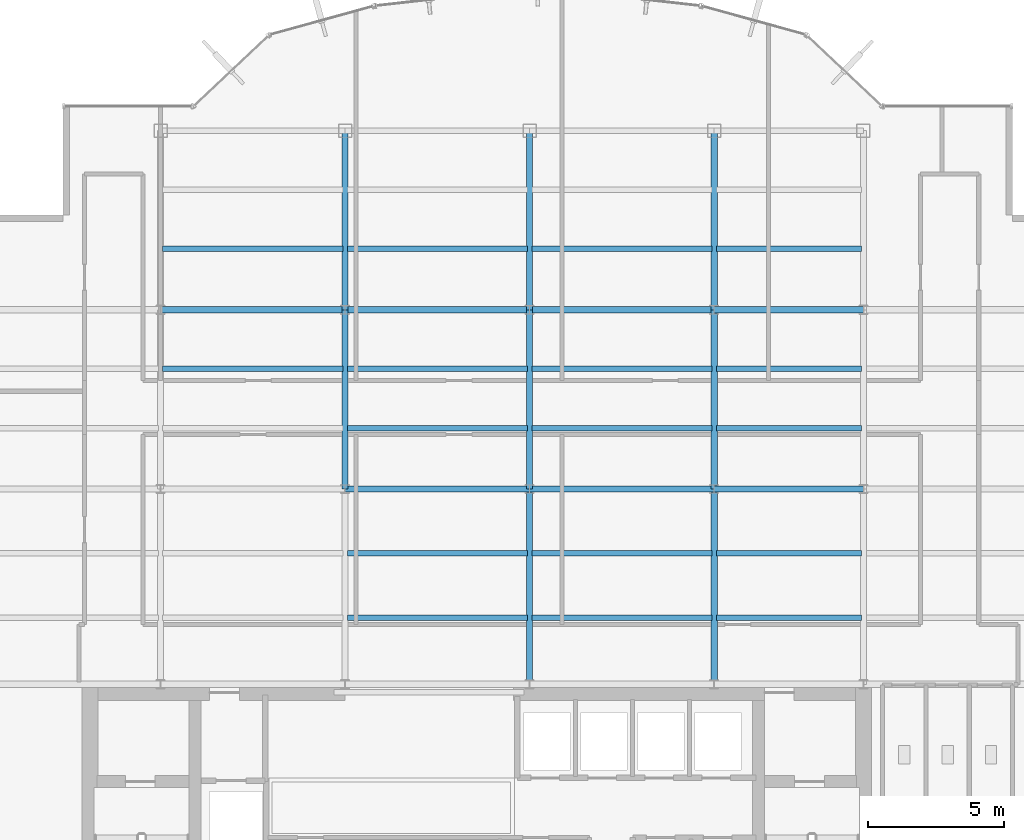
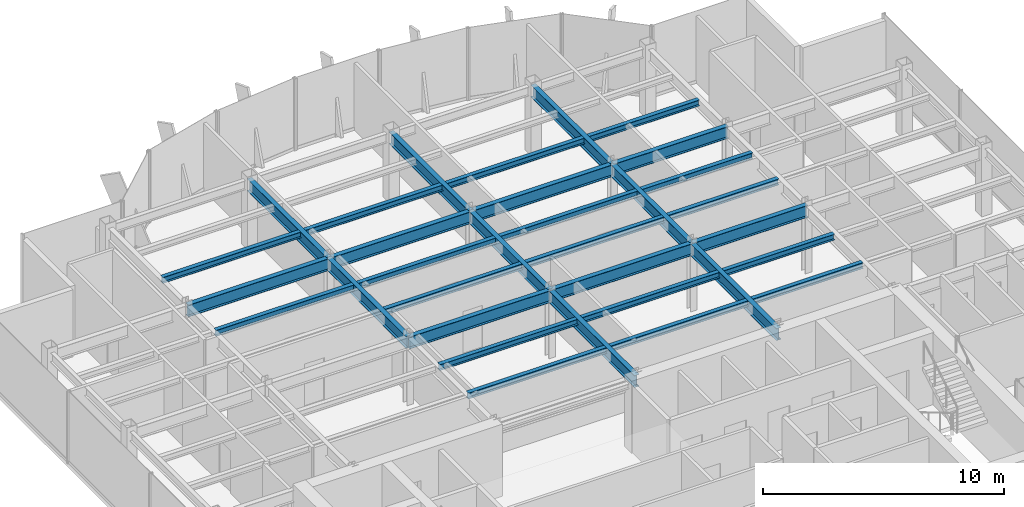
# One storey, part 8 of 22: 32 beams.
"""IFC4 building model written with IfcOpenShell, lengths in metres."""

import ifcopenshell
import ifcopenshell.guid

model = None  # the IFC model being written
_history = None  # IfcOwnerHistory: only IFC2X3 demands one
_inside = {}  # id of a spatial element -> (the spatial element, [elements in it])
_under = {}  # id of a project, library or spatial element -> (it, [spatial elements below it])
_declared = {}  # id of a project -> (the project, [libraries it declares])
_typed = {}  # id of a type object -> (the type object, [elements of that type])
_made_of = {}  # id of a material, layer set ... -> (it, [elements and type objects made of it])


def new_model(schema):
    """Start an empty IFC model of exactly this schema.

    Asked for "IFC4X3", IfcOpenShell would pick the latest addendum, in which some entities
    have other attributes; the version numbers below select the first issue.
    IFC2X3 requires an IfcOwnerHistory on every rooted entity: one is made here for all.
    """
    global model, _history
    if schema == "IFC4X3":
        model = ifcopenshell.file(schema_version=(4, 3, 0, 0))
    else:
        model = ifcopenshell.file(schema=schema)
    _inside.clear()
    _under.clear()
    _declared.clear()
    _typed.clear()
    _made_of.clear()
    _history = None
    if model.schema == "IFC2X3":
        org = make("IfcOrganization", Name="unknown")
        user = make(
            "IfcPersonAndOrganization",
            ThePerson=make("IfcPerson", FamilyName="unknown"),
            TheOrganization=org,
        )
        app = make(
            "IfcApplication",
            ApplicationDeveloper=org,
            Version="unknown",
            ApplicationFullName="unknown",
            ApplicationIdentifier="unknown",
        )
        _history = make(
            "IfcOwnerHistory",
            OwningUser=user,
            OwningApplication=app,
            ChangeAction="ADDED",
            CreationDate=0,
        )
    return model


def make(cls, **values):
    """One entity of the class cls with the attributes given. An attribute that is None is left unset."""
    return model.create_entity(
        cls, **{name: value for name, value in values.items() if value is not None}
    )


def rooted(cls, **values):
    """An entity with a GlobalId (a new one), such as an element, a storey or a relation."""
    return make(cls, GlobalId=ifcopenshell.guid.new(), OwnerHistory=_history, **values)


def si_unit(unit_type, name, prefix=None):
    """IfcSIUnit, for example si_unit("LENGTHUNIT", "METRE", prefix="MILLI")."""
    return make("IfcSIUnit", UnitType=unit_type, Prefix=prefix, Name=name)


def derived_unit(unit_type, elements):
    """IfcDerivedUnit: a product of units, each with its exponent."""
    return make(
        "IfcDerivedUnit",
        Elements=[
            make("IfcDerivedUnitElement", Unit=unit, Exponent=power)
            for unit, power in elements
        ],
        UnitType=unit_type,
    )


def assignment(units):
    """IfcUnitAssignment: the units of a project."""
    return None if units is None else make("IfcUnitAssignment", Units=units)


def point(xyz):
    """IfcCartesianPoint."""
    return None if xyz is None else make("IfcCartesianPoint", Coordinates=xyz)


def direction(xyz):
    """IfcDirection."""
    return None if xyz is None else make("IfcDirection", DirectionRatios=xyz)


def frame(location, z_axis=None, x_axis=None):
    """IfcAxis2Placement3D, a coordinate frame: its origin and axes. An axis left out is left unset."""
    return make(
        "IfcAxis2Placement3D",
        Location=point(location),
        Axis=direction(z_axis),
        RefDirection=direction(x_axis),
    )


def frame_2d(location, x_axis=None):
    """IfcAxis2Placement2D, a coordinate frame in the plane: its origin and x axis."""
    return make(
        "IfcAxis2Placement2D", Location=point(location), RefDirection=direction(x_axis)
    )


def origin():
    """The frame at (0, 0, 0) with its axes left unset."""
    return frame((0.0, 0.0, 0.0))


def origin_2d():
    """The frame at (0, 0) in the plane with its x axis left unset."""
    return frame_2d((0.0, 0.0))


def place(relative_to, where):
    """IfcLocalPlacement: puts the frame where relative to a parent placement (None: the world)."""
    return make(
        "IfcLocalPlacement", PlacementRelTo=relative_to, RelativePlacement=where
    )


def context(
    kind, dimensions, precision=None, world=None, true_north=None, identifier=None
):
    """IfcGeometricRepresentationContext, for example the 3D "Model" context."""
    return make(
        "IfcGeometricRepresentationContext",
        ContextIdentifier=identifier,
        ContextType=kind,
        CoordinateSpaceDimension=dimensions,
        Precision=precision,
        WorldCoordinateSystem=world,
        TrueNorth=true_north,
    )


def subcontext(parent, identifier, kind, view, scale=None):
    """IfcGeometricRepresentationSubContext, for example "Body" below "Model"."""
    return make(
        "IfcGeometricRepresentationSubContext",
        ContextIdentifier=identifier,
        ContextType=kind,
        ParentContext=parent,
        TargetScale=scale,
        TargetView=view,
    )


def project(units=None, contexts=None):
    """IfcProject with its units and contexts."""
    return rooted(
        "IfcProject",
        Name="project",
        RepresentationContexts=contexts,
        UnitsInContext=assignment(units),
    )


def spatial(cls, under=None, at=None, **own):
    """A site, building, storey or space (cls), placed at a placement, below another one or the project."""
    s = rooted(cls, ObjectPlacement=at, **own)
    if under is not None:
        _under.setdefault(under.id(), (under, []))[1].append(s)
    return s


def profile(cls, at=None, kind="AREA", **sizes):
    """A parametric profile (cls). Its sizes go by their IFC names, for example OverallWidth=200.0."""
    return make(cls, ProfileType=kind, Position=at, **sizes)


def i_section(**sizes):
    """IfcIShapeProfileDef."""
    return profile("IfcIShapeProfileDef", **sizes)


def extrude(swept, where, along, depth):
    """IfcExtrudedAreaSolid: the profile swept, set in the frame where, extruded along a direction by depth."""
    return make(
        "IfcExtrudedAreaSolid",
        SweptArea=swept,
        Position=where,
        ExtrudedDirection=direction(along),
        Depth=depth,
    )


def shape(context_of_items, identifier, shape_type, items):
    """IfcShapeRepresentation: the items that make up one representation, for example the "Body"."""
    return make(
        "IfcShapeRepresentation",
        ContextOfItems=context_of_items,
        RepresentationIdentifier=identifier,
        RepresentationType=shape_type,
        Items=items,
    )


def source(mapping_origin, context_of_items, identifier, shape_type, items):
    """IfcRepresentationMap: a shape defined once, which mapped items show again and again."""
    return make(
        "IfcRepresentationMap",
        MappingOrigin=mapping_origin,
        MappedRepresentation=shape(context_of_items, identifier, shape_type, items),
    )


def transform(
    local_origin,
    x_axis=None,
    y_axis=None,
    z_axis=None,
    scale=None,
    scale2=None,
    scale3=None,
    uniform=True,
):
    """IfcCartesianTransformationOperator3D, or its non-uniform kind. x_axis, y_axis, z_axis: its Axis1, 2, 3."""
    if uniform:
        return make(
            "IfcCartesianTransformationOperator3D",
            Axis1=direction(x_axis),
            Axis2=direction(y_axis),
            LocalOrigin=point(local_origin),
            Scale=scale,
            Axis3=direction(z_axis),
        )
    return make(
        "IfcCartesianTransformationOperator3DnonUniform",
        Axis1=direction(x_axis),
        Axis2=direction(y_axis),
        LocalOrigin=point(local_origin),
        Scale=scale,
        Axis3=direction(z_axis),
        Scale2=scale2,
        Scale3=scale3,
    )


def mapped(mapping_source, mapping_target):
    """IfcMappedItem: shows the shape of a source again, moved by a transform."""
    return make(
        "IfcMappedItem", MappingSource=mapping_source, MappingTarget=mapping_target
    )


def material(Name=None, Category=None):
    """IfcMaterial."""
    return make("IfcMaterial", Name=Name, Category=Category)


def material_profile(
    of_material, cross_section, Name=None, Category=None, Priority=None
):
    """IfcMaterialProfile: a cross section and its material."""
    return make(
        "IfcMaterialProfile",
        Name=Name,
        Material=of_material,
        Profile=cross_section,
        Priority=Priority,
        Category=Category,
    )


def profile_set(profiles, Name=None, composite=None):
    """IfcMaterialProfileSet."""
    return make(
        "IfcMaterialProfileSet",
        Name=Name,
        MaterialProfiles=profiles,
        CompositeProfile=composite,
    )


def made_of(thing, what):
    """Note that an element or type object is made of a material, layer set ...; save() writes the relation."""
    if what is not None:
        _made_of.setdefault(what.id(), (what, []))[1].append(thing)
    return thing


def type_object(cls, material=None, **own):
    """A type object (cls), such as IfcWallType, which elements share."""
    return made_of(rooted(cls, **own), material)


def element(
    cls,
    number,
    at=None,
    inside=None,
    cuts=None,
    type_object=None,
    material=None,
    context=None,
    identifier="Body",
    shape_type=None,
    held_by="IfcProductDefinitionShape",
    body=None,
    shapes=None,
    **own,
):
    """One element of the class cls, such as IfcWall. Its Tag is "e" and its number.

    at: its placement. inside: the storey or other place that contains it. cuts: it is an
    opening in that element (IfcRelVoidsElement). A single representation is given by context,
    identifier, shape_type and body (its items); several are given by shapes. held_by: the class
    of the entity that holds the representations. save() writes the other relations.
    """
    e = rooted(cls, Tag="e%d" % number, ObjectPlacement=at, **own)
    if body is not None:
        shapes = [shape(context, identifier, shape_type, body)]
    if shapes is not None:
        e.Representation = make(held_by, Representations=shapes)
    if inside is not None:
        _inside.setdefault(inside.id(), (inside, []))[1].append(e)
    if cuts is not None:
        rooted(
            "IfcRelVoidsElement", RelatingBuildingElement=cuts, RelatedOpeningElement=e
        )
    if type_object is not None:
        _typed.setdefault(type_object.id(), (type_object, []))[1].append(e)
    return made_of(e, material)


def aggregate(whole, parts):
    """IfcRelAggregates: a whole, such as a stair, and the parts it consists of."""
    return rooted("IfcRelAggregates", RelatingObject=whole, RelatedObjects=parts)


def save(model, path):
    """Write the relations noted so far, then the file.

    IfcRelAggregates (storeys below a building ...), IfcRelContainedInSpatialStructure (elements
    in a storey), IfcRelDefinesByType, IfcRelAssociatesMaterial and IfcRelDeclares: one each for
    every whole, place, type object, material and project.
    """
    for whole, parts in _under.values():
        aggregate(whole, parts)
    for where, things in _inside.values():
        rooted(
            "IfcRelContainedInSpatialStructure",
            RelatedElements=things,
            RelatingStructure=where,
        )
    for kind, things in _typed.values():
        rooted("IfcRelDefinesByType", RelatedObjects=things, RelatingType=kind)
    for what, things in _made_of.values():
        rooted("IfcRelAssociatesMaterial", RelatedObjects=things, RelatingMaterial=what)
    for by, libraries in _declared.values():
        rooted("IfcRelDeclares", RelatingContext=by, RelatedDefinitions=libraries)
    model.write(path)


model = new_model("IFC4")

# Units and contexts
model_context = context("Model", 3, precision=1e-05, world=origin(), true_north=direction((0.0, 1.0)))
body_context = subcontext(model_context, "Body", "Model", "MODEL_VIEW")
ifc_project = project(units=[si_unit("LENGTHUNIT", "METRE"), si_unit("AREAUNIT", "SQUARE_METRE"), si_unit("VOLUMEUNIT", "CUBIC_METRE"), si_unit("PLANEANGLEUNIT", "RADIAN"), si_unit("MASSUNIT", "GRAM", prefix="KILO"), derived_unit("THERMALTRANSMITTANCEUNIT", [(si_unit("POWERUNIT", "WATT"), 1), (si_unit("LENGTHUNIT", "METRE"), -2), (si_unit("THERMODYNAMICTEMPERATUREUNIT", "KELVIN"), -1)])], contexts=[model_context])

# Site, building, storey
site_placement = place(None, origin())
site = spatial("IfcSite", under=ifc_project, at=site_placement, CompositionType="ELEMENT")
building_placement = place(site_placement, origin())
building = spatial("IfcBuilding", under=site, at=building_placement, Name="Skarnbrae Concourse Arena and Tower", CompositionType="ELEMENT")
storey_placement = place(building_placement, frame((0.0, 0.0, 273.39990234375)))
storey = spatial("IfcBuildingStorey", under=building, at=storey_placement, Name="L71", CompositionType="ELEMENT", Elevation=273.39990234375)

# Beams
ifc_material = material(Name="Steel CSA G40.21 350W", Category="steel")
ifc_material_profile_1 = material_profile(ifc_material, i_section(OverallWidth=0.22802734375, OverallDepth=0.60791015625, WebThickness=0.01123046875, FlangeThickness=0.017333984375, at=origin_2d()), Name="W610X113")
ifc_profile_set_1 = profile_set([ifc_material_profile_1], Name="Steel CSA G40.21 350W")
beam_type_1 = type_object("IfcBeamType", Name="BM-GIRD-W610X113", PredefinedType="BEAM", material=ifc_profile_set_1)
shared_shape_1 = source(origin(), body_context, "Body", "SweptSolid", [
    extrude(i_section(OverallWidth=0.22802734375, OverallDepth=0.60791015625, WebThickness=0.01123046875, FlangeThickness=0.017333984375, at=origin_2d()), origin(), (0.0, 0.0, 1.0), 6.60009765625),
])
for number, where, z_axis, x_axis, name in (
    (1, (14.39990234375, 21.199951171875, 3.09619140625), (0.0, 1.0, 0.0), (-1.0, 0.0, 0.0), "L71 Primary N-S girder X14.4-2"),
    (2, (21.199951171875, 21.199951171875, 3.09619140625), (0.0, 1.0, 0.0), (-1.0, 0.0, 0.0), "L71 Primary N-S girder X21.2-2"),
    (3, (28.0, 21.199951171875, 3.09619140625), (0.0, 1.0, 0.0), (-1.0, 0.0, 0.0), "L71 Primary N-S girder X28.0-2"),
):
    element("IfcBeam", number, at=place(storey_placement, frame(where, z_axis=z_axis, x_axis=x_axis)), inside=storey, type_object=beam_type_1, Name=name, PredefinedType="BEAM", context=body_context, shape_type="MappedRepresentation", body=[
        mapped(shared_shape_1, transform((0.0, 0.0, 0.0))),
    ])
shared_shape_2 = source(origin(), body_context, "Body", "SweptSolid", [
    extrude(i_section(OverallWidth=0.22802734375, OverallDepth=0.60791015625, WebThickness=0.01123046875, FlangeThickness=0.017333984375, at=origin_2d()), origin(), (0.0, 0.0, 1.0), 6.7998046875),
])
beam_placement = place(storey_placement, frame((7.60009765625, 27.800048828125, 3.09619140625), z_axis=(1.0, 0.0, 0.0), x_axis=(0.0, 1.0, 0.0)))
element("IfcBeam", 4, at=beam_placement, inside=storey, type_object=beam_type_1, Name="L71 Primary E-W girder Y27.8-2", PredefinedType="BEAM", context=body_context, shape_type="MappedRepresentation", body=[
    mapped(shared_shape_2, transform((0.0, 0.0, 0.0))),
])
shared_shape_3 = source(origin(), body_context, "Body", "SweptSolid", [
    extrude(i_section(OverallWidth=0.22802734375, OverallDepth=0.60791015625, WebThickness=0.01123046875, FlangeThickness=0.017333984375, at=origin_2d()), origin(), (0.0, 0.0, 1.0), 6.800048828125),
])
for number, where, z_axis, x_axis, name in (
    (5, (14.39990234375, 21.199951171875, 3.09619140625), (1.0, 0.0, 0.0), (0.0, 1.0, 0.0), "L71 Primary E-W girder Y21.2-3"),
    (6, (21.199951171875, 21.199951171875, 3.09619140625), (1.0, 0.0, 0.0), (0.0, 1.0, 0.0), "L71 Primary E-W girder Y21.2-4"),
    (7, (14.39990234375, 27.800048828125, 3.09619140625), (1.0, 0.0, 0.0), (0.0, 1.0, 0.0), "L71 Primary E-W girder Y27.8-3"),
    (8, (21.199951171875, 27.800048828125, 3.09619140625), (1.0, 0.0, 0.0), (0.0, 1.0, 0.0), "L71 Primary E-W girder Y27.8-4"),
):
    element("IfcBeam", number, at=place(storey_placement, frame(where, z_axis=z_axis, x_axis=x_axis)), inside=storey, type_object=beam_type_1, Name=name, PredefinedType="BEAM", context=body_context, shape_type="MappedRepresentation", body=[
        mapped(shared_shape_3, transform((0.0, 0.0, 0.0))),
    ])
shared_shape_4 = source(origin(), body_context, "Body", "SweptSolid", [
    extrude(i_section(OverallWidth=0.22802734375, OverallDepth=0.60791015625, WebThickness=0.01123046875, FlangeThickness=0.017333984375, at=origin_2d()), origin(), (0.0, 0.0, 1.0), 5.5),
])
for number, where, z_axis, x_axis, name in (
    (9, (28.0, 21.199951171875, 3.09619140625), (1.0, 0.0, 0.0), (0.0, 1.0, 0.0), "L71 Primary E-W girder Y21.2-5"),
    (10, (28.0, 27.800048828125, 3.09619140625), (1.0, 0.0, 0.0), (0.0, 1.0, 0.0), "L71 Primary E-W girder Y27.8-5"),
):
    element("IfcBeam", number, at=place(storey_placement, frame(where, z_axis=z_axis, x_axis=x_axis)), inside=storey, type_object=beam_type_1, Name=name, PredefinedType="BEAM", context=body_context, shape_type="MappedRepresentation", body=[
        mapped(shared_shape_4, transform((0.0, 0.0, 0.0))),
    ])
shared_shape_5 = source(origin(), body_context, "Body", "SweptSolid", [
    extrude(i_section(OverallWidth=0.22802734375, OverallDepth=0.60791015625, WebThickness=0.01123046875, FlangeThickness=0.017333984375, at=origin_2d()), origin(), (0.0, 0.0, 1.0), 7.199951171875),
])
for number, where, z_axis, x_axis, name in (
    (11, (21.199951171875, 14.0, 3.09619140625), (0.0, 1.0, 0.0), (-1.0, 0.0, 0.0), "L71 Primary N-S girder X21.2-1"),
    (12, (28.0, 14.0, 3.09619140625), (0.0, 1.0, 0.0), (-1.0, 0.0, 0.0), "L71 Primary N-S girder X28.0-1"),
):
    element("IfcBeam", number, at=place(storey_placement, frame(where, z_axis=z_axis, x_axis=x_axis)), inside=storey, type_object=beam_type_1, Name=name, PredefinedType="BEAM", context=body_context, shape_type="MappedRepresentation", body=[
        mapped(shared_shape_5, transform((0.0, 0.0, 0.0))),
    ])
shared_shape_6 = source(origin(), body_context, "Body", "SweptSolid", [
    extrude(i_section(OverallWidth=0.22802734375, OverallDepth=0.60791015625, WebThickness=0.01123046875, FlangeThickness=0.017333984375, at=origin_2d()), origin(), (0.0, 0.0, 1.0), 6.599853515625),
])
for number, where, z_axis, x_axis, name in (
    (13, (14.39990234375, 27.800048828125, 3.09619140625), (0.0, 1.0, 0.0), (-1.0, 0.0, 0.0), "L71 Primary N-S girder X14.4-3"),
    (14, (21.199951171875, 27.800048828125, 3.09619140625), (0.0, 1.0, 0.0), (-1.0, 0.0, 0.0), "L71 Primary N-S girder X21.2-3"),
    (15, (28.0, 27.800048828125, 3.09619140625), (0.0, 1.0, 0.0), (-1.0, 0.0, 0.0), "L71 Primary N-S girder X28.0-3"),
):
    element("IfcBeam", number, at=place(storey_placement, frame(where, z_axis=z_axis, x_axis=x_axis)), inside=storey, type_object=beam_type_1, Name=name, PredefinedType="BEAM", context=body_context, shape_type="MappedRepresentation", body=[
        mapped(shared_shape_6, transform((0.0, 0.0, 0.0))),
    ])
ifc_material_profile_2 = material_profile(ifc_material, i_section(OverallWidth=0.202880859375, OverallDepth=0.302978515625, WebThickness=0.007568359375, FlangeThickness=0.01318359375, at=origin_2d()), Name="W310X60")
ifc_profile_set_2 = profile_set([ifc_material_profile_2], Name="Steel CSA G40.21 350W")
beam_type_2 = type_object("IfcBeamType", Name="BM-JOIST-W310X60", PredefinedType="JOIST", material=ifc_profile_set_2)
shared_shape_7 = source(origin(), body_context, "Body", "SweptSolid", [
    extrude(i_section(OverallWidth=0.202880859375, OverallDepth=0.302978515625, WebThickness=0.007568359375, FlangeThickness=0.01318359375, at=origin_2d()), origin(), (0.0, 0.0, 1.0), 6.64013671875),
])
for number, where, z_axis, x_axis, name in (
    (16, (14.47998046875, 16.447998046875, 3.24853515625), (1.0, 0.0, 0.0), (0.0, 1.0, 0.0), "L71 Secondary floor joist 1.1.3"),
    (17, (14.47998046875, 18.823974609375, 3.24853515625), (1.0, 0.0, 0.0), (0.0, 1.0, 0.0), "L71 Secondary floor joist 1.2.3"),
    (18, (14.47998046875, 23.444091796875, 3.24853515625), (1.0, 0.0, 0.0), (0.0, 1.0, 0.0), "L71 Secondary floor joist 2.1.3"),
    (19, (7.679931640625, 25.6220703125, 3.24853515625), (1.0, 0.0, 0.0), (0.0, 1.0, 0.0), "L71 Secondary floor joist 2.2.2"),
    (20, (14.47998046875, 25.6220703125, 3.24853515625), (1.0, 0.0, 0.0), (0.0, 1.0, 0.0), "L71 Secondary floor joist 2.2.3"),
    (21, (7.679931640625, 30.0439453125, 3.24853515625), (1.0, 0.0, 0.0), (0.0, 1.0, 0.0), "L71 Secondary floor joist 3.1.1"),
    (22, (14.47998046875, 30.0439453125, 3.24853515625), (1.0, 0.0, 0.0), (0.0, 1.0, 0.0), "L71 Secondary floor joist 3.1.2"),
):
    element("IfcBeam", number, at=place(storey_placement, frame(where, z_axis=z_axis, x_axis=x_axis)), inside=storey, type_object=beam_type_2, Name=name, PredefinedType="JOIST", context=body_context, shape_type="MappedRepresentation", body=[
        mapped(shared_shape_7, transform((0.0, 0.0, 0.0))),
    ])
shared_shape_8 = source(origin(), body_context, "Body", "SweptSolid", [
    extrude(i_section(OverallWidth=0.202880859375, OverallDepth=0.302978515625, WebThickness=0.007568359375, FlangeThickness=0.01318359375, at=origin_2d()), origin(), (0.0, 0.0, 1.0), 6.639892578125),
])
for number, where, z_axis, x_axis, name in (
    (23, (21.280029296875, 16.447998046875, 3.24853515625), (1.0, 0.0, 0.0), (0.0, 1.0, 0.0), "L71 Secondary floor joist 1.1.4"),
    (24, (21.280029296875, 18.823974609375, 3.24853515625), (1.0, 0.0, 0.0), (0.0, 1.0, 0.0), "L71 Secondary floor joist 1.2.4"),
    (25, (21.280029296875, 23.444091796875, 3.24853515625), (1.0, 0.0, 0.0), (0.0, 1.0, 0.0), "L71 Secondary floor joist 2.1.4"),
    (26, (21.280029296875, 25.6220703125, 3.24853515625), (1.0, 0.0, 0.0), (0.0, 1.0, 0.0), "L71 Secondary floor joist 2.2.4"),
    (27, (21.280029296875, 30.0439453125, 3.24853515625), (1.0, 0.0, 0.0), (0.0, 1.0, 0.0), "L71 Secondary floor joist 3.1.3"),
):
    element("IfcBeam", number, at=place(storey_placement, frame(where, z_axis=z_axis, x_axis=x_axis)), inside=storey, type_object=beam_type_2, Name=name, PredefinedType="JOIST", context=body_context, shape_type="MappedRepresentation", body=[
        mapped(shared_shape_8, transform((0.0, 0.0, 0.0))),
    ])
shared_shape_9 = source(origin(), body_context, "Body", "SweptSolid", [
    extrude(i_section(OverallWidth=0.202880859375, OverallDepth=0.302978515625, WebThickness=0.007568359375, FlangeThickness=0.01318359375, at=origin_2d()), origin(), (0.0, 0.0, 1.0), 5.33984375),
])
for number, where, z_axis, x_axis, name in (
    (28, (28.080078125, 16.447998046875, 3.24853515625), (1.0, 0.0, 0.0), (0.0, 1.0, 0.0), "L71 Secondary floor joist 1.1.5"),
    (29, (28.080078125, 18.823974609375, 3.24853515625), (1.0, 0.0, 0.0), (0.0, 1.0, 0.0), "L71 Secondary floor joist 1.2.5"),
    (30, (28.080078125, 23.444091796875, 3.24853515625), (1.0, 0.0, 0.0), (0.0, 1.0, 0.0), "L71 Secondary floor joist 2.1.5"),
    (31, (28.080078125, 25.6220703125, 3.24853515625), (1.0, 0.0, 0.0), (0.0, 1.0, 0.0), "L71 Secondary floor joist 2.2.5"),
    (32, (28.080078125, 30.0439453125, 3.24853515625), (1.0, 0.0, 0.0), (0.0, 1.0, 0.0), "L71 Secondary floor joist 3.1.4"),
):
    element("IfcBeam", number, at=place(storey_placement, frame(where, z_axis=z_axis, x_axis=x_axis)), inside=storey, type_object=beam_type_2, Name=name, PredefinedType="JOIST", context=body_context, shape_type="MappedRepresentation", body=[
        mapped(shared_shape_9, transform((0.0, 0.0, 0.0))),
    ])

save(model, "model.ifc")
